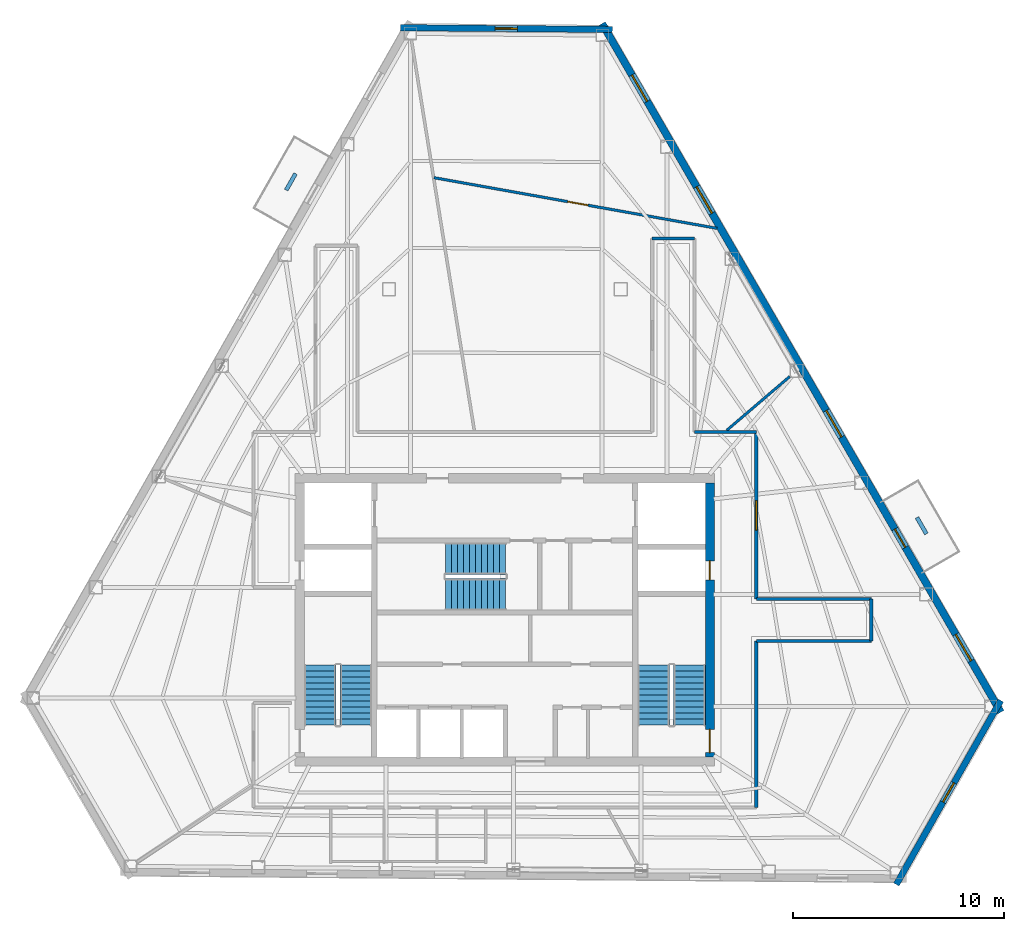
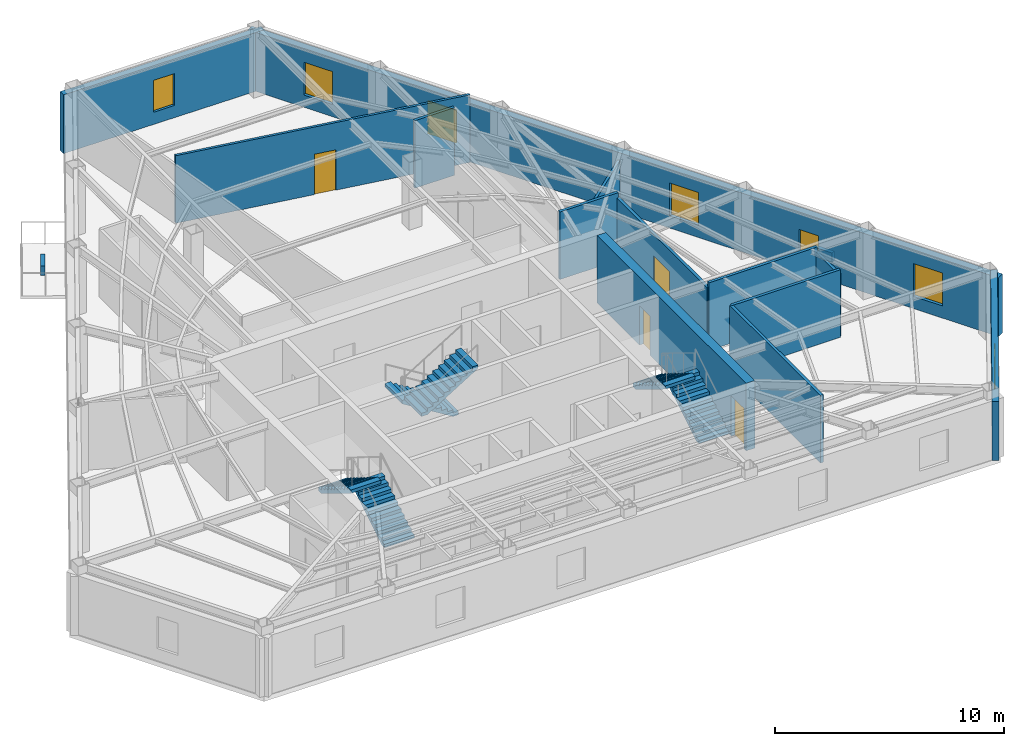
# One storey, part 7 of 9: 15 walls, 6 stair flights, 6 windows, 5 doors, 11 openings, 3 elements without a shape of their own.
"""IFC4 building model written with IfcOpenShell, lengths in metres."""

from ifc_helpers import new_model, si_unit, direction, frame, frame_2d, origin, place, context, subcontext, project, spatial, polyline, rectangle, outline, extrude, material, layer, layer_set, type_object, element, fill, aggregate, save


model = new_model("IFC4")

# Units and contexts
model_context = context("Model", 3, precision=1e-05, world=origin(), true_north=direction((0.0, 1.0)))
body_context = subcontext(model_context, "Body", "Model", "MODEL_VIEW")
ifc_project = project(units=[si_unit("LENGTHUNIT", "METRE"), si_unit("AREAUNIT", "SQUARE_METRE"), si_unit("VOLUMEUNIT", "CUBIC_METRE"), si_unit("PLANEANGLEUNIT", "RADIAN"), si_unit("MASSUNIT", "GRAM", prefix="KILO")], contexts=[model_context])

# Site, building, storey
site_placement = place(None, origin())
site = spatial("IfcSite", under=ifc_project, at=site_placement, CompositionType="ELEMENT")
building_placement = place(site_placement, origin())
building = spatial("IfcBuilding", under=site, at=building_placement, Name="Kavelnor Concourse Tower", CompositionType="ELEMENT")
storey_placement = place(building_placement, frame((0.0, 0.0, 176.550048828125)))
storey = spatial("IfcBuildingStorey", under=building, at=storey_placement, Name="L44", CompositionType="ELEMENT", Elevation=176.550048828125)

# Wall, openings, doors
ifc_material_1 = material(Name="Concrete C50/60", Category="concrete")
ifc_layer_1 = layer(ifc_material_1, 0.43994140625, Name="Concrete C50/60")
ifc_layer_set_1 = layer_set([ifc_layer_1], Name="Concrete C50/60")
wall_type_1 = type_object("IfcWallType", Name="WL-CORE-Z3-440", PredefinedType="SOLIDWALL", material=ifc_layer_set_1)
wall_1_placement = place(storey_placement, frame((47.739990234375, 9.60009765625, 0.0), z_axis=(0.0, 0.0, 1.0), x_axis=(0.0, 1.0, 0.0)))
wall_1 = element("IfcWall", 1, at=wall_1_placement, inside=storey, type_object=wall_type_1, Name="L44 Central Core East Shear Wall", PredefinedType="SOLIDWALL", context=body_context, shape_type="SweptSolid", body=[
    extrude(rectangle(XDim=13.0, YDim=0.43994140625, at=frame_2d((6.5, 0.0))), origin(), (0.0, 0.0, 1.0), 3.599853515625),
])
opening_1_placement = place(wall_1_placement, frame((0.199951171875, 0.0, 0.0)))
opening_1 = element("IfcOpeningElement", 2, at=opening_1_placement, cuts=wall_1, Name="Opening FD-110", PredefinedType="OPENING", context=body_context, shape_type="SweptSolid", body=[
    extrude(rectangle(XDim=1.10009765625, YDim=2.14990234375, at=frame_2d((0.550048828125, 1.074951171875))), frame((0.0, 0.22998046875, 0.0), z_axis=(0.0, -1.0, 0.0), x_axis=(1.0, 0.0, 0.0)), (0.0, 0.0, 1.0), 0.4599609375),
])
opening_2_placement = place(wall_1_placement, frame((8.39990234375, 0.0, 0.0)))
opening_2 = element("IfcOpeningElement", 3, at=opening_2_placement, cuts=wall_1, Name="Opening FD-090", PredefinedType="OPENING", context=body_context, shape_type="SweptSolid", body=[
    extrude(rectangle(XDim=0.89990234375, YDim=2.10009765625, at=frame_2d((0.449951171875, 1.050048828125))), frame((0.0, 0.22998046875, 0.0), z_axis=(0.0, -1.0, 0.0), x_axis=(1.0, 0.0, 0.0)), (0.0, 0.0, 1.0), 0.4599609375),
])
ifc_material_2 = material(Name="Steel Grade 350", Category="steel")
door_type_1 = type_object("IfcDoorType", Name="DR-RISER-FIRE-900", OperationType="NOTDEFINED", PredefinedType="DOOR", material=ifc_material_2)
door_1_placement = place(opening_2_placement, origin())
door_1 = element("IfcDoor", 4, at=door_1_placement, inside=storey, type_object=door_type_1, Name="L44 East Riser Access Door", OperationType="SINGLE_SWING_LEFT", OverallHeight=2.10009765625, OverallWidth=0.89990234375, PredefinedType="DOOR", context=body_context, shape_type="SweptSolid", body=[
    extrude(rectangle(XDim=0.89990234375, YDim=2.10009765625, at=frame_2d((0.449951171875, 1.050048828125))), frame((0.0, 0.02490234375, 0.0), z_axis=(0.0, -1.0, 0.0), x_axis=(1.0, 0.0, 0.0)), (0.0, 0.0, 1.0), 0.050048828125),
])
fill(opening_2, door_1)
door_type_2 = type_object("IfcDoorType", Name="DR-STAIR-FIRE-1100", OperationType="NOTDEFINED", PredefinedType="DOOR", material=ifc_material_2)
door_2_placement = place(opening_1_placement, origin())
door_2 = element("IfcDoor", 5, at=door_2_placement, inside=storey, type_object=door_type_2, Name="L44 Stair ST2 Fire Door", OperationType="SINGLE_SWING_RIGHT", OverallHeight=2.14990234375, OverallWidth=1.10009765625, PredefinedType="DOOR", context=body_context, shape_type="SweptSolid", body=[
    extrude(rectangle(XDim=1.10009765625, YDim=2.14990234375, at=frame_2d((0.550048828125, 1.074951171875))), frame((0.0, 0.02490234375, 0.0), z_axis=(0.0, -1.0, 0.0), x_axis=(1.0, 0.0, 0.0)), (0.0, 0.0, 1.0), 0.050048828125),
])
fill(opening_1, door_2)

# Wall, opening, window
ifc_material_3 = material(Name="Buff ironspot clay face brick masonry", Category="masonry")
ifc_layer_2 = layer(ifc_material_3, 0.300048828125, Name="Buff ironspot clay face brick masonry")
ifc_layer_set_2 = layer_set([ifc_layer_2], Name="Buff ironspot clay face brick masonry")
wall_type_2 = type_object("IfcWallType", Name="WL-EXT-BUFF-BRICK-FOLD-300", PredefinedType="STANDARD", material=ifc_layer_set_2)
wall_2_placement = place(storey_placement, frame((33.035400390625, 44.22021484375, 0.0), z_axis=(0.0, 0.0, 1.0), x_axis=(0.99996458909, -0.008415495547, 0.0)))
wall_2 = element("IfcWall", 6, at=wall_2_placement, inside=storey, type_object=wall_type_2, Name="L44 Exterior Brick Facade Wall E0", PredefinedType="STANDARD", context=body_context, shape_type="SweptSolid", body=[
    extrude(rectangle(XDim=10.066650390625, YDim=0.300048828125, at=frame_2d((5.033203125, 0.0))), origin(), (0.0, 0.0, 1.0), 3.1318359375),
])
opening_3_placement = place(wall_2_placement, frame((4.50830078125, 0.0, 0.64990234375)))
opening_3 = element("IfcOpeningElement", 7, at=opening_3_placement, cuts=wall_2, Name="Opening W-06", PredefinedType="OPENING", context=body_context, shape_type="SweptSolid", body=[
    extrude(rectangle(XDim=1.050048828125, YDim=1.699951171875, at=frame_2d((0.52490234375, 0.85009765625))), frame((0.0, 0.16015625, 0.0), z_axis=(0.0, -1.0, 0.0), x_axis=(1.0, 0.0, 0.0)), (0.0, 0.0, 1.0), 0.320068359375),
])
ifc_material_4 = material(Name="Double low-E argon insulated glazing", Category="glass")
window_type_1 = type_object("IfcWindowType", Name="WIN-FOLD-1050", PartitioningType="SINGLE_PANEL", PredefinedType="WINDOW", material=ifc_material_4)
window_1_placement = place(opening_3_placement, origin())
window_1 = element("IfcWindow", 8, at=window_1_placement, inside=storey, type_object=window_type_1, Name="L44 Chamfer-Fold Facet Window C0", OverallHeight=1.699951171875, OverallWidth=1.050048828125, PartitioningType="SINGLE_PANEL", PredefinedType="WINDOW", context=body_context, shape_type="SweptSolid", body=[
    extrude(rectangle(XDim=1.050048828125, YDim=1.699951171875, at=frame_2d((0.52490234375, 0.85009765625))), frame((0.0, 0.030029296875, 0.0), z_axis=(0.0, -1.0, 0.0), x_axis=(1.0, 0.0, 0.0)), (0.0, 0.0, 1.0), 0.06005859375),
])
fill(opening_3, window_1)

wall_3_placement = place(storey_placement, frame((61.54931640625, 12.272216796875, 0.0), z_axis=(0.0, 0.0, 1.0), x_axis=(-0.493716291508, -0.869623035286, 0.0)))
wall_3 = element("IfcWall", 9, at=wall_3_placement, inside=storey, type_object=wall_type_2, Name="L44 Exterior Brick Facade Wall E4", PredefinedType="STANDARD", context=body_context, shape_type="SweptSolid", body=[
    extrude(rectangle(XDim=10.046630859375, YDim=0.300048828125, at=frame_2d((5.0234375, 0.0))), origin(), (0.0, 0.0, 1.0), 3.1318359375),
])
opening_4_placement = place(wall_3_placement, frame((4.498291015625, 0.0, 0.64990234375)))
opening_4 = element("IfcOpeningElement", 10, at=opening_4_placement, cuts=wall_3, Name="Opening W-06", PredefinedType="OPENING", context=body_context, shape_type="SweptSolid", body=[
    extrude(rectangle(XDim=1.050048828125, YDim=1.699951171875, at=frame_2d((0.52490234375, 0.85009765625))), frame((0.0, 0.16015625, 0.0), z_axis=(0.0, -1.0, 0.0), x_axis=(1.0, 0.0, 0.0)), (0.0, 0.0, 1.0), 0.320068359375),
])
window_2_placement = place(opening_4_placement, origin())
window_2 = element("IfcWindow", 11, at=window_2_placement, inside=storey, type_object=window_type_1, Name="L44 Chamfer-Fold Facet Window C2", OverallHeight=1.699951171875, OverallWidth=1.050048828125, PartitioningType="SINGLE_PANEL", PredefinedType="WINDOW", context=body_context, shape_type="SweptSolid", body=[
    extrude(rectangle(XDim=1.050048828125, YDim=1.699951171875, at=frame_2d((0.52490234375, 0.85009765625))), frame((0.0, 0.030029296875, 0.0), z_axis=(0.0, -1.0, 0.0), x_axis=(1.0, 0.0, 0.0)), (0.0, 0.0, 1.0), 0.06005859375),
])
fill(opening_4, window_2)

# Wall, openings, door, windows
ifc_material_5 = material(Name="Red-ochre clay face brick masonry", Category="masonry")
ifc_layer_3 = layer(ifc_material_5, 0.35009765625, Name="Red-ochre clay face brick masonry")
ifc_layer_set_3 = layer_set([ifc_layer_3], Name="Red-ochre clay face brick masonry")
wall_type_3 = type_object("IfcWallType", Name="WL-EXT-RED-BRICK-PIER-350", PredefinedType="STANDARD", material=ifc_layer_set_3)
wall_4_placement = place(storey_placement, frame((42.621826171875, 44.4150390625, 0.0), z_axis=(0.0, 0.0, 1.0), x_axis=(0.501018185811, -0.865436755336, 0.0)))
wall_4 = element("IfcWall", 12, at=wall_4_placement, inside=storey, type_object=wall_type_3, Name="L44 Exterior Brick Facade Wall E5", PredefinedType="STANDARD", context=body_context, shape_type="SweptSolid", body=[
    extrude(rectangle(XDim=37.782958984375, YDim=0.35009765625, at=frame_2d((18.8916015625, 0.0))), origin(), (0.0, 0.0, 1.0), 3.1318359375),
])
opening_5_placement = place(wall_4_placement, frame((27.737060546875, 0.0, 0.0)))
opening_5 = element("IfcOpeningElement", 13, at=opening_5_placement, cuts=wall_4, Name="Opening BD-100", PredefinedType="OPENING", context=body_context, shape_type="SweptSolid", body=[
    extrude(rectangle(XDim=1.0, YDim=2.199951171875, at=frame_2d((0.5, 1.10009765625))), frame((0.0, 0.18505859375, 0.0), z_axis=(0.0, -1.0, 0.0), x_axis=(1.0, 0.0, 0.0)), (0.0, 0.0, 1.0), 0.3701171875),
])
opening_6_placement = place(wall_4_placement, frame((33.51318359375, 0.0, 0.64990234375)))
opening_6 = element("IfcOpeningElement", 14, at=opening_6_placement, cuts=wall_4, Name="Opening W-03", PredefinedType="OPENING", context=body_context, shape_type="SweptSolid", body=[
    extrude(rectangle(XDim=1.449951171875, YDim=1.75, at=frame_2d((0.72509765625, 0.875))), frame((0.0, 0.18505859375, 0.0), z_axis=(0.0, -1.0, 0.0), x_axis=(1.0, 0.0, 0.0)), (0.0, 0.0, 1.0), 0.3701171875),
])
opening_7_placement = place(wall_4_placement, frame((21.2353515625, 0.0, 0.64990234375)))
opening_7 = element("IfcOpeningElement", 15, at=opening_7_placement, cuts=wall_4, Name="Opening W-03", PredefinedType="OPENING", context=body_context, shape_type="SweptSolid", body=[
    extrude(rectangle(XDim=1.449951171875, YDim=1.75, at=frame_2d((0.72509765625, 0.875))), frame((0.0, 0.18505859375, 0.0), z_axis=(0.0, -1.0, 0.0), x_axis=(1.0, 0.0, 0.0)), (0.0, 0.0, 1.0), 0.3701171875),
])
opening_8_placement = place(wall_4_placement, frame((8.95751953125, 0.0, 0.64990234375)))
opening_8 = element("IfcOpeningElement", 16, at=opening_8_placement, cuts=wall_4, Name="Opening W-03", PredefinedType="OPENING", context=body_context, shape_type="SweptSolid", body=[
    extrude(rectangle(XDim=1.449951171875, YDim=1.75, at=frame_2d((0.72509765625, 0.875))), frame((0.0, 0.18505859375, 0.0), z_axis=(0.0, -1.0, 0.0), x_axis=(1.0, 0.0, 0.0)), (0.0, 0.0, 1.0), 0.3701171875),
])
opening_9_placement = place(wall_4_placement, frame((2.818603515625, 0.0, 0.64990234375)))
opening_9 = element("IfcOpeningElement", 17, at=opening_9_placement, cuts=wall_4, Name="Opening W-03", PredefinedType="OPENING", context=body_context, shape_type="SweptSolid", body=[
    extrude(rectangle(XDim=1.449951171875, YDim=1.75, at=frame_2d((0.72509765625, 0.875))), frame((0.0, 0.18505859375, 0.0), z_axis=(0.0, -1.0, 0.0), x_axis=(1.0, 0.0, 0.0)), (0.0, 0.0, 1.0), 0.3701171875),
])
ifc_material_6 = material(Name="Anodised aluminium 6063-T6", Category="aluminium")
door_type_3 = type_object("IfcDoorType", Name="DR-BALCONY-EXT-1000", OperationType="NOTDEFINED", PredefinedType="DOOR", material=ifc_material_6)
door_3_placement = place(opening_5_placement, origin())
door_3 = element("IfcDoor", 18, at=door_3_placement, inside=storey, type_object=door_type_3, Name="L44 Tree Balcony 1 Glazed Door", OperationType="SINGLE_SWING_LEFT", OverallHeight=2.199951171875, OverallWidth=1.0, PredefinedType="DOOR", context=body_context, shape_type="SweptSolid", body=[
    extrude(rectangle(XDim=1.0, YDim=2.199951171875, at=frame_2d((0.5, 1.10009765625))), frame((0.0, 0.02490234375, 0.0), z_axis=(0.0, -1.0, 0.0), x_axis=(1.0, 0.0, 0.0)), (0.0, 0.0, 1.0), 0.050048828125),
])
fill(opening_5, door_3)
window_type_2 = type_object("IfcWindowType", Name="WIN-PIER-Z3-1500", PartitioningType="SINGLE_PANEL", PredefinedType="WINDOW", material=ifc_material_4)
window_3_placement = place(opening_6_placement, origin())
window_3 = element("IfcWindow", 19, at=window_3_placement, inside=storey, type_object=window_type_2, Name="L44 Deep-Set Brick Pier Window F2-B0", OverallHeight=1.75, OverallWidth=1.449951171875, PartitioningType="SINGLE_PANEL", PredefinedType="WINDOW", context=body_context, shape_type="SweptSolid", body=[
    extrude(rectangle(XDim=1.449951171875, YDim=1.75, at=frame_2d((0.72509765625, 0.875))), frame((0.0, 0.030029296875, 0.0), z_axis=(0.0, -1.0, 0.0), x_axis=(1.0, 0.0, 0.0)), (0.0, 0.0, 1.0), 0.06005859375),
])
fill(opening_6, window_3)
window_4_placement = place(opening_7_placement, origin())
window_4 = element("IfcWindow", 20, at=window_4_placement, inside=storey, type_object=window_type_2, Name="L44 Deep-Set Brick Pier Window F2-B2", OverallHeight=1.75, OverallWidth=1.449951171875, PartitioningType="SINGLE_PANEL", PredefinedType="WINDOW", context=body_context, shape_type="SweptSolid", body=[
    extrude(rectangle(XDim=1.449951171875, YDim=1.75, at=frame_2d((0.72509765625, 0.875))), frame((0.0, 0.030029296875, 0.0), z_axis=(0.0, -1.0, 0.0), x_axis=(1.0, 0.0, 0.0)), (0.0, 0.0, 1.0), 0.06005859375),
])
fill(opening_7, window_4)
window_5_placement = place(opening_8_placement, origin())
window_5 = element("IfcWindow", 21, at=window_5_placement, inside=storey, type_object=window_type_2, Name="L44 Deep-Set Brick Pier Window F2-B4", OverallHeight=1.75, OverallWidth=1.449951171875, PartitioningType="SINGLE_PANEL", PredefinedType="WINDOW", context=body_context, shape_type="SweptSolid", body=[
    extrude(rectangle(XDim=1.449951171875, YDim=1.75, at=frame_2d((0.72509765625, 0.875))), frame((0.0, 0.030029296875, 0.0), z_axis=(0.0, -1.0, 0.0), x_axis=(1.0, 0.0, 0.0)), (0.0, 0.0, 1.0), 0.06005859375),
])
fill(opening_8, window_5)
window_6_placement = place(opening_9_placement, origin())
window_6 = element("IfcWindow", 22, at=window_6_placement, inside=storey, type_object=window_type_2, Name="L44 Deep-Set Brick Pier Window F2-B5", OverallHeight=1.75, OverallWidth=1.449951171875, PartitioningType="SINGLE_PANEL", PredefinedType="WINDOW", context=body_context, shape_type="SweptSolid", body=[
    extrude(rectangle(XDim=1.449951171875, YDim=1.75, at=frame_2d((0.72509765625, 0.875))), frame((0.0, 0.030029296875, 0.0), z_axis=(0.0, -1.0, 0.0), x_axis=(1.0, 0.0, 0.0)), (0.0, 0.0, 1.0), 0.06005859375),
])
fill(opening_9, window_6)

# Walls
ifc_material_7 = material(Name="Gypsum plasterboard on light-gauge steel studs", Category="steel")
ifc_layer_4 = layer(ifc_material_7, 0.14501953125, Name="Gypsum plasterboard on light-gauge steel studs")
ifc_layer_set_4 = layer_set([ifc_layer_4], Name="Gypsum plasterboard on light-gauge steel studs")
wall_type_4 = type_object("IfcWallType", Name="WL-INT-CORR-145", PredefinedType="PARTITIONING", material=ifc_layer_set_4)
wall_5_placement = place(storey_placement, frame((45.0, 34.199462890625, 0.0), z_axis=(0.0, 0.0, 1.0), x_axis=(1.0, 0.0, 0.0)))
element("IfcWall", 23, at=wall_5_placement, inside=storey, type_object=wall_type_4, Name="L44 Corridor Wall WL-L44-CR-09", PredefinedType="PARTITIONING", context=body_context, shape_type="SweptSolid", body=[
    extrude(rectangle(XDim=2.0, YDim=0.14501953125, at=frame_2d((1.0, 0.0))), origin(), (0.0, 0.0, 1.0), 3.599853515625),
])
wall_6_placement = place(storey_placement, frame((47.0, 25.02001953125, 0.0), z_axis=(0.0, 0.0, 1.0), x_axis=(1.0, 0.0, 0.0)))
element("IfcWall", 24, at=wall_6_placement, inside=storey, type_object=wall_type_4, Name="L44 Corridor Wall WL-L44-CR-11", PredefinedType="PARTITIONING", context=body_context, shape_type="SweptSolid", body=[
    extrude(rectangle(XDim=2.93994140625, YDim=0.14501953125, at=frame_2d((1.469970703125, 0.0))), origin(), (0.0, 0.0, 1.0), 3.599853515625),
])

# Wall, opening, door
wall_7_placement = place(storey_placement, frame((49.93994140625, 25.02001953125, 0.0), z_axis=(0.0, 0.0, 1.0), x_axis=(0.0, -1.0, 0.0)))
wall_7 = element("IfcWall", 25, at=wall_7_placement, inside=storey, type_object=wall_type_4, Name="L44 Corridor Wall WL-L44-CR-12", PredefinedType="PARTITIONING", context=body_context, shape_type="SweptSolid", body=[
    extrude(rectangle(XDim=7.919921875, YDim=0.14501953125, at=frame_2d((3.9599609375, 0.0))), origin(), (0.0, 0.0, 1.0), 3.3388671875),
])
opening_10_placement = place(wall_7_placement, frame((3.260009765625, 0.0, 0.0)))
opening_10 = element("IfcOpeningElement", 26, at=opening_10_placement, cuts=wall_7, Name="Opening SD-140", PredefinedType="OPENING", context=body_context, shape_type="SweptSolid", body=[
    extrude(rectangle(XDim=1.39990234375, YDim=2.199951171875, at=frame_2d((0.699951171875, 1.10009765625))), frame((0.0, 0.08251953125, 0.0), z_axis=(0.0, -1.0, 0.0), x_axis=(1.0, 0.0, 0.0)), (0.0, 0.0, 1.0), 0.1650390625),
])
ifc_material_8 = material(Name="Solid-core hardwood timber", Category="wood")
door_type_4 = type_object("IfcDoorType", Name="DR-SUITE-ENTRY-1400", OperationType="NOTDEFINED", PredefinedType="DOOR", material=ifc_material_8)
door_4_placement = place(opening_10_placement, origin())
door_4 = element("IfcDoor", 27, at=door_4_placement, inside=storey, type_object=door_type_4, Name="L44 Client Concierge 07 Door", OperationType="SINGLE_SWING_RIGHT", OverallHeight=2.199951171875, OverallWidth=1.39990234375, PredefinedType="DOOR", context=body_context, shape_type="SweptSolid", body=[
    extrude(rectangle(XDim=1.39990234375, YDim=2.199951171875, at=frame_2d((0.699951171875, 1.10009765625))), frame((0.0, 0.02490234375, 0.0), z_axis=(0.0, -1.0, 0.0), x_axis=(1.0, 0.0, 0.0)), (0.0, 0.0, 1.0), 0.050048828125),
])
fill(opening_10, door_4)

# Walls
wall_8_placement = place(storey_placement, frame((49.93994140625, 17.10009765625, 0.0), z_axis=(0.0, 0.0, 1.0), x_axis=(1.0, 0.0, 0.0)))
element("IfcWall", 28, at=wall_8_placement, inside=storey, type_object=wall_type_4, Name="L44 Corridor Wall WL-L44-CR-13", PredefinedType="PARTITIONING", context=body_context, shape_type="SweptSolid", body=[
    extrude(rectangle(XDim=5.4599609375, YDim=0.14501953125, at=frame_2d((2.72998046875, 0.0))), origin(), (0.0, 0.0, 1.0), 3.599853515625),
])
wall_9_placement = place(storey_placement, frame((55.39990234375, 17.10009765625, 0.0), z_axis=(0.0, 0.0, 1.0), x_axis=(0.0, -1.0, 0.0)))
element("IfcWall", 29, at=wall_9_placement, inside=storey, type_object=wall_type_4, Name="L44 Corridor Wall WL-L44-CR-14", PredefinedType="PARTITIONING", context=body_context, shape_type="SweptSolid", body=[
    extrude(rectangle(XDim=2.0, YDim=0.14501953125, at=frame_2d((1.0, 0.0))), origin(), (0.0, 0.0, 1.0), 3.3388671875),
])
wall_10_placement = place(storey_placement, frame((55.39990234375, 15.10009765625, 0.0), z_axis=(0.0, 0.0, 1.0), x_axis=(-1.0, 0.0, 0.0)))
element("IfcWall", 30, at=wall_10_placement, inside=storey, type_object=wall_type_4, Name="L44 Corridor Wall WL-L44-CR-15", PredefinedType="PARTITIONING", context=body_context, shape_type="SweptSolid", body=[
    extrude(rectangle(XDim=5.4599609375, YDim=0.14501953125, at=frame_2d((2.72998046875, 0.0))), origin(), (0.0, 0.0, 1.0), 3.599853515625),
])
wall_11_placement = place(storey_placement, frame((49.93994140625, 15.10009765625, 0.0), z_axis=(0.0, 0.0, 1.0), x_axis=(0.0, -1.0, 0.0)))
element("IfcWall", 31, at=wall_11_placement, inside=storey, type_object=wall_type_4, Name="L44 Corridor Wall WL-L44-CR-16", PredefinedType="PARTITIONING", context=body_context, shape_type="SweptSolid", body=[
    extrude(rectangle(XDim=7.920166015625, YDim=0.14501953125, at=frame_2d((3.9599609375, 0.0))), origin(), (0.0, 0.0, 1.0), 3.599853515625),
])
ifc_layer_5 = layer(ifc_material_7, 0.125, Name="Gypsum plasterboard on light-gauge steel studs")
ifc_layer_set_5 = layer_set([ifc_layer_5], Name="Gypsum plasterboard on light-gauge steel studs")
wall_type_5 = type_object("IfcWallType", Name="WL-INT-SUITE-125", PredefinedType="PARTITIONING", material=ifc_layer_set_5)
wall_12_placement = place(storey_placement, frame((48.53857421875, 25.1005859375, 0.0), z_axis=(0.0, 0.0, 1.0), x_axis=(0.760440194852, 0.649407968887, 0.0)))
element("IfcWall", 32, at=wall_12_placement, inside=storey, type_object=wall_type_5, Name="L44 Radial Suite Partition 01", PredefinedType="PARTITIONING", context=body_context, shape_type="SweptSolid", body=[
    extrude(rectangle(XDim=3.927001953125, YDim=0.125, at=frame_2d((1.96337890625, 0.0))), origin(), (0.0, 0.0, 1.0), 3.140869140625),
])

# Wall, opening, door
wall_13_placement = place(storey_placement, frame((48.077880859375, 34.69091796875, 0.0), z_axis=(0.0, 0.0, 1.0), x_axis=(-0.984351918165, 0.176213794023, 0.0)))
wall_13 = element("IfcWall", 33, at=wall_13_placement, inside=storey, type_object=wall_type_5, Name="L44 Suite Subdivision Partition 01", PredefinedType="PARTITIONING", context=body_context, shape_type="SweptSolid", body=[
    extrude(rectangle(XDim=13.657958984375, YDim=0.125, at=frame_2d((6.8291015625, 0.0))), origin(), (0.0, 0.0, 1.0), 3.599853515625),
])
opening_11_placement = place(wall_13_placement, frame((6.22900390625, 0.0, 0.0)))
opening_11 = element("IfcOpeningElement", 34, at=opening_11_placement, cuts=wall_13, Name="Opening OD-098", PredefinedType="OPENING", context=body_context, shape_type="SweptSolid", body=[
    extrude(rectangle(XDim=0.97998046875, YDim=2.14990234375, at=frame_2d((0.489990234375, 1.074951171875))), frame((0.0, 0.072509765625, 0.0), z_axis=(0.0, -1.0, 0.0), x_axis=(1.0, 0.0, 0.0)), (0.0, 0.0, 1.0), 0.14501953125),
])
door_type_5 = type_object("IfcDoorType", Name="DR-OFFICE-980", OperationType="NOTDEFINED", PredefinedType="DOOR", material=ifc_material_8)
door_5_placement = place(opening_11_placement, origin())
door_5 = element("IfcDoor", 35, at=door_5_placement, inside=storey, type_object=door_type_5, Name="L44 Executive Dining Room 02 Door", OperationType="SINGLE_SWING_LEFT", OverallHeight=2.14990234375, OverallWidth=0.97998046875, PredefinedType="DOOR", context=body_context, shape_type="SweptSolid", body=[
    extrude(rectangle(XDim=0.97998046875, YDim=2.14990234375, at=frame_2d((0.489990234375, 1.074951171875))), frame((0.0, 0.02490234375, 0.0), z_axis=(0.0, -1.0, 0.0), x_axis=(1.0, 0.0, 0.0)), (0.0, 0.0, 1.0), 0.050048828125),
])
fill(opening_11, door_5)

# Walls
ifc_material_9 = material(Name="Architectural precast planter concrete C40/50", Category="concrete")
ifc_layer_6 = layer(ifc_material_9, 0.18994140625, Name="Architectural precast planter concrete C40/50")
ifc_layer_set_6 = layer_set([ifc_layer_6], Name="Architectural precast planter concrete C40/50")
wall_type_6 = type_object("IfcWallType", Name="WL-PLANTER-KERB-190", PredefinedType="USERDEFINED", material=ifc_layer_set_6)
wall_14_placement = place(storey_placement, frame((58.02001953125, 20.181884765625, 0.0), z_axis=(0.0, 0.0, 1.0), x_axis=(-0.501068351936, 0.865407711248, 0.0)))
element("IfcWall", 36, at=wall_14_placement, inside=storey, type_object=wall_type_6, Name="L44 Tree Balcony 1 Tree Planter Kerb", ObjectType="PLANTER", PredefinedType="USERDEFINED", context=body_context, shape_type="SweptSolid", body=[
    extrude(rectangle(XDim=0.89990234375, YDim=0.18994140625, at=frame_2d((0.449951171875, 0.0))), origin(), (0.0, 0.0, 1.0), 0.5),
])
wall_15_placement = place(storey_placement, frame((28.06396484375, 37.291015625, 0.0), z_axis=(0.0, 0.0, 1.0), x_axis=(-0.493888249529, -0.869525386045, 0.0)))
element("IfcWall", 37, at=wall_15_placement, inside=storey, type_object=wall_type_6, Name="L44 Tree Balcony 2 Tree Planter Kerb", ObjectType="PLANTER", PredefinedType="USERDEFINED", context=body_context, shape_type="SweptSolid", body=[
    extrude(rectangle(XDim=0.900146484375, YDim=0.18994140625, at=frame_2d((0.4501953125, 0.0))), origin(), (0.0, 0.0, 1.0), 0.5),
])

# Stair, stair flights
ifc_material_10 = material(Name="Concrete C40/50", Category="concrete")
stair_type = type_object("IfcStairType", Name="STR-CORE-1500", PredefinedType="HALF_TURN_STAIR", material=ifc_material_10)
stair_1_placement = place(storey_placement, origin())
stair_1 = element("IfcStair", 38, at=stair_1_placement, inside=storey, type_object=stair_type, Name="L44 ST1", PredefinedType="HALF_TURN_STAIR")
stair_flight_type = type_object("IfcStairFlightType", Name="STR-FLIGHT-1500", PredefinedType="STRAIGHT", material=ifc_material_10)
stair_flight_1_placement = place(storey_placement, frame((30.929931640625, 11.10009765625, 0.0), z_axis=(0.0, 0.0, 1.0), x_axis=(0.0, 1.0, 0.0)))
stair_flight_1 = element("IfcStairFlight", 39, at=stair_flight_1_placement, type_object=stair_flight_type, Name="ST1 flight 1", NumberOfRisers=11, NumberOfTreads=10, PredefinedType="STRAIGHT", RiserHeight=0.175, TreadLength=0.285, context=body_context, shape_type="SweptSolid", body=[
    extrude(outline(polyline([(0.0, 0.0), (0.0, 0.175048828125), (0.284912109375, 0.175048828125), (0.284912109375, 0.35009765625), (0.570068359375, 0.35009765625), (0.570068359375, 0.52490234375), (0.85498046875, 0.52490234375), (0.85498046875, 0.699951171875), (1.139892578125, 0.699951171875), (1.139892578125, 0.875), (1.425048828125, 0.875), (1.425048828125, 1.050048828125), (1.7099609375, 1.050048828125), (1.7099609375, 1.22509765625), (1.9951171875, 1.22509765625), (1.9951171875, 1.39990234375), (2.280029296875, 1.39990234375), (2.280029296875, 1.574951171875), (2.56494140625, 1.574951171875), (2.56494140625, 1.75), (2.85009765625, 1.75), (2.85009765625, 1.925048828125), (2.85009765625, 1.573974609375), (0.286376953125, 0.0), (0.0, 0.0)])), frame((0.0, 0.75, 0.0), z_axis=(0.0, -1.0, 0.0), x_axis=(1.0, 0.0, 0.0)), (0.0, 0.0, 1.0), 1.5),
])
stair_flight_2_placement = place(storey_placement, frame((29.22998046875, 13.949951171875, 1.925048828125), z_axis=(0.0, 0.0, 1.0), x_axis=(0.0, -1.0, 0.0)))
stair_flight_2 = element("IfcStairFlight", 40, at=stair_flight_2_placement, type_object=stair_flight_type, Name="ST1 flight 2", NumberOfRisers=11, NumberOfTreads=10, PredefinedType="STRAIGHT", RiserHeight=0.175, TreadLength=0.285, context=body_context, shape_type="SweptSolid", body=[
    extrude(outline(polyline([(0.0, 0.0), (0.0, 0.175048828125), (0.284912109375, 0.175048828125), (0.284912109375, 0.35009765625), (0.570068359375, 0.35009765625), (0.570068359375, 0.52490234375), (0.85498046875, 0.52490234375), (0.85498046875, 0.699951171875), (1.139892578125, 0.699951171875), (1.139892578125, 0.875), (1.425048828125, 0.875), (1.425048828125, 1.050048828125), (1.7099609375, 1.050048828125), (1.7099609375, 1.22509765625), (1.9951171875, 1.22509765625), (1.9951171875, 1.39990234375), (2.280029296875, 1.39990234375), (2.280029296875, 1.574951171875), (2.56494140625, 1.574951171875), (2.56494140625, 1.75), (2.85009765625, 1.75), (2.85009765625, 1.925048828125), (2.85009765625, 1.573974609375), (0.286376953125, 0.0), (0.0, 0.0)])), frame((0.0, 0.75, 0.0), z_axis=(0.0, -1.0, 0.0), x_axis=(1.0, 0.0, 0.0)), (0.0, 0.0, 1.0), 1.5),
])
aggregate(stair_1, [stair_flight_1, stair_flight_2])

stair_2_placement = place(storey_placement, origin())
stair_2 = element("IfcStair", 41, at=stair_2_placement, inside=storey, type_object=stair_type, Name="L44 ST2", PredefinedType="HALF_TURN_STAIR")
stair_flight_3_placement = place(storey_placement, frame((46.77001953125, 11.10009765625, 0.0), z_axis=(0.0, 0.0, 1.0), x_axis=(0.0, 1.0, 0.0)))
stair_flight_3 = element("IfcStairFlight", 42, at=stair_flight_3_placement, type_object=stair_flight_type, Name="ST2 flight 1", NumberOfRisers=11, NumberOfTreads=10, PredefinedType="STRAIGHT", RiserHeight=0.175, TreadLength=0.285, context=body_context, shape_type="SweptSolid", body=[
    extrude(outline(polyline([(0.0, 0.0), (0.0, 0.175048828125), (0.284912109375, 0.175048828125), (0.284912109375, 0.35009765625), (0.570068359375, 0.35009765625), (0.570068359375, 0.52490234375), (0.85498046875, 0.52490234375), (0.85498046875, 0.699951171875), (1.139892578125, 0.699951171875), (1.139892578125, 0.875), (1.425048828125, 0.875), (1.425048828125, 1.050048828125), (1.7099609375, 1.050048828125), (1.7099609375, 1.22509765625), (1.9951171875, 1.22509765625), (1.9951171875, 1.39990234375), (2.280029296875, 1.39990234375), (2.280029296875, 1.574951171875), (2.56494140625, 1.574951171875), (2.56494140625, 1.75), (2.85009765625, 1.75), (2.85009765625, 1.925048828125), (2.85009765625, 1.573974609375), (0.286376953125, 0.0), (0.0, 0.0)])), frame((0.0, 0.75, 0.0), z_axis=(0.0, -1.0, 0.0), x_axis=(1.0, 0.0, 0.0)), (0.0, 0.0, 1.0), 1.5),
])
stair_flight_4_placement = place(storey_placement, frame((45.070068359375, 13.949951171875, 1.925048828125), z_axis=(0.0, 0.0, 1.0), x_axis=(0.0, -1.0, 0.0)))
stair_flight_4 = element("IfcStairFlight", 43, at=stair_flight_4_placement, type_object=stair_flight_type, Name="ST2 flight 2", NumberOfRisers=11, NumberOfTreads=10, PredefinedType="STRAIGHT", RiserHeight=0.175, TreadLength=0.285, context=body_context, shape_type="SweptSolid", body=[
    extrude(outline(polyline([(0.0, 0.0), (0.0, 0.175048828125), (0.284912109375, 0.175048828125), (0.284912109375, 0.35009765625), (0.570068359375, 0.35009765625), (0.570068359375, 0.52490234375), (0.85498046875, 0.52490234375), (0.85498046875, 0.699951171875), (1.139892578125, 0.699951171875), (1.139892578125, 0.875), (1.425048828125, 0.875), (1.425048828125, 1.050048828125), (1.7099609375, 1.050048828125), (1.7099609375, 1.22509765625), (1.9951171875, 1.22509765625), (1.9951171875, 1.39990234375), (2.280029296875, 1.39990234375), (2.280029296875, 1.574951171875), (2.56494140625, 1.574951171875), (2.56494140625, 1.75), (2.85009765625, 1.75), (2.85009765625, 1.925048828125), (2.85009765625, 1.573974609375), (0.286376953125, 0.0), (0.0, 0.0)])), frame((0.0, 0.75, 0.0), z_axis=(0.0, -1.0, 0.0), x_axis=(1.0, 0.0, 0.0)), (0.0, 0.0, 1.0), 1.5),
])
aggregate(stair_2, [stair_flight_3, stair_flight_4])

stair_3_placement = place(storey_placement, origin())
stair_3 = element("IfcStair", 44, at=stair_3_placement, inside=storey, type_object=stair_type, Name="L44 ST3", PredefinedType="HALF_TURN_STAIR")
stair_flight_5_placement = place(storey_placement, frame((38.0400390625, 19.010009765625, 0.0), z_axis=(0.0, 0.0, 1.0), x_axis=(-1.0, 0.0, 0.0)))
stair_flight_5 = element("IfcStairFlight", 45, at=stair_flight_5_placement, type_object=stair_flight_type, Name="ST3 flight 1", NumberOfRisers=11, NumberOfTreads=10, PredefinedType="STRAIGHT", RiserHeight=0.175, TreadLength=0.285, context=body_context, shape_type="SweptSolid", body=[
    extrude(outline(polyline([(0.0, 0.0), (0.0, 0.175048828125), (0.284912109375, 0.175048828125), (0.284912109375, 0.35009765625), (0.570068359375, 0.35009765625), (0.570068359375, 0.52490234375), (0.85498046875, 0.52490234375), (0.85498046875, 0.699951171875), (1.139892578125, 0.699951171875), (1.139892578125, 0.875), (1.425048828125, 0.875), (1.425048828125, 1.050048828125), (1.7099609375, 1.050048828125), (1.7099609375, 1.22509765625), (1.9951171875, 1.22509765625), (1.9951171875, 1.39990234375), (2.280029296875, 1.39990234375), (2.280029296875, 1.574951171875), (2.56494140625, 1.574951171875), (2.56494140625, 1.75), (2.85009765625, 1.75), (2.85009765625, 1.925048828125), (2.85009765625, 1.573974609375), (0.286376953125, 0.0), (0.0, 0.0)])), frame((0.0, 0.75, 0.0), z_axis=(0.0, -1.0, 0.0), x_axis=(1.0, 0.0, 0.0)), (0.0, 0.0, 1.0), 1.5),
])
stair_flight_6_placement = place(storey_placement, frame((35.18994140625, 17.31005859375, 1.925048828125), z_axis=(0.0, 0.0, 1.0), x_axis=(1.0, 0.0, 0.0)))
stair_flight_6 = element("IfcStairFlight", 46, at=stair_flight_6_placement, type_object=stair_flight_type, Name="ST3 flight 2", NumberOfRisers=11, NumberOfTreads=10, PredefinedType="STRAIGHT", RiserHeight=0.175, TreadLength=0.285, context=body_context, shape_type="SweptSolid", body=[
    extrude(outline(polyline([(0.0, 0.0), (0.0, 0.175048828125), (0.284912109375, 0.175048828125), (0.284912109375, 0.35009765625), (0.570068359375, 0.35009765625), (0.570068359375, 0.52490234375), (0.85498046875, 0.52490234375), (0.85498046875, 0.699951171875), (1.139892578125, 0.699951171875), (1.139892578125, 0.875), (1.425048828125, 0.875), (1.425048828125, 1.050048828125), (1.7099609375, 1.050048828125), (1.7099609375, 1.22509765625), (1.9951171875, 1.22509765625), (1.9951171875, 1.39990234375), (2.280029296875, 1.39990234375), (2.280029296875, 1.574951171875), (2.56494140625, 1.574951171875), (2.56494140625, 1.75), (2.85009765625, 1.75), (2.85009765625, 1.925048828125), (2.85009765625, 1.573974609375), (0.286376953125, 0.0), (0.0, 0.0)])), frame((0.0, 0.75, 0.0), z_axis=(0.0, -1.0, 0.0), x_axis=(1.0, 0.0, 0.0)), (0.0, 0.0, 1.0), 1.5),
])
aggregate(stair_3, [stair_flight_5, stair_flight_6])

save(model, "model.ifc")
